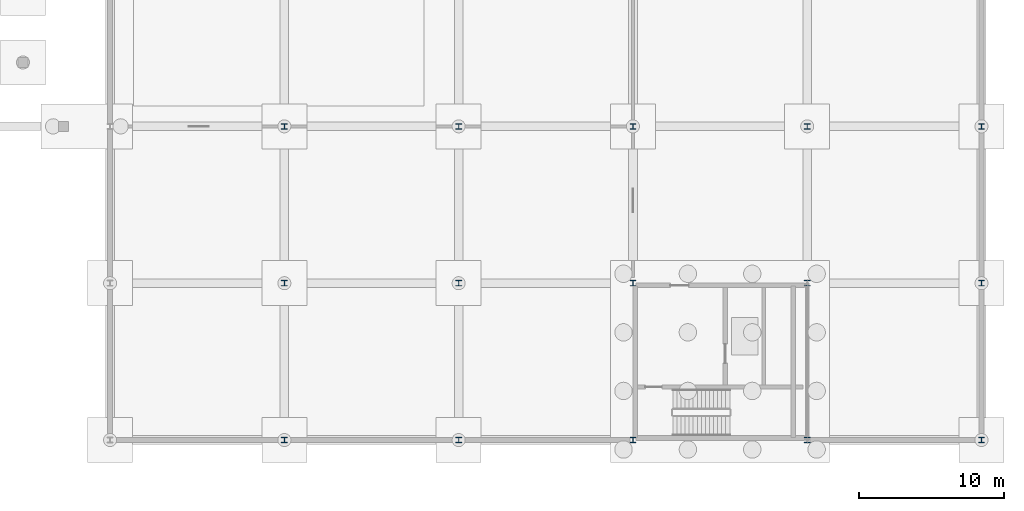
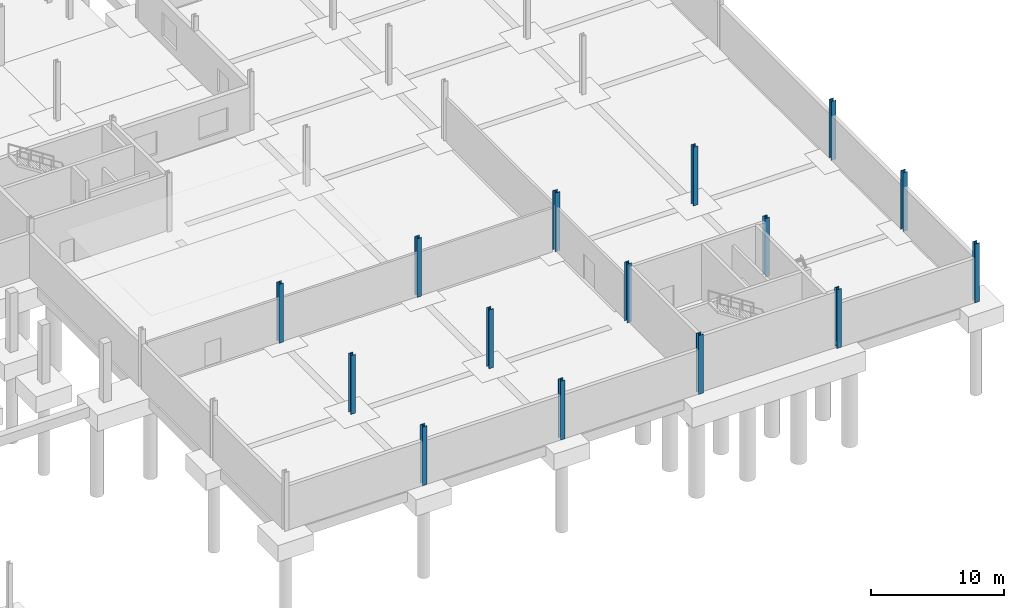
# One storey, part 16 of 36: 15 columns.
"""IFC4 building model written with IfcOpenShell, lengths in metres."""

from ifc_helpers import new_model, si_unit, direction, frame, origin, origin_2d, place, context, subcontext, project, spatial, i_section, extrude, material, material_profile, profile_set, type_object, element, save


model = new_model("IFC4")

# Units and contexts
model_context = context("Model", 3, precision=1e-05, world=origin(), true_north=direction((0.0, 1.0)))
body_context = subcontext(model_context, "Body", "Model", "MODEL_VIEW")
ifc_project = project(units=[si_unit("LENGTHUNIT", "METRE"), si_unit("AREAUNIT", "SQUARE_METRE"), si_unit("VOLUMEUNIT", "CUBIC_METRE"), si_unit("PLANEANGLEUNIT", "RADIAN"), si_unit("MASSUNIT", "GRAM", prefix="KILO"), si_unit("THERMODYNAMICTEMPERATUREUNIT", "KELVIN"), si_unit("POWERUNIT", "WATT")], contexts=[model_context])

# Site, building, storey
site_placement = place(None, origin())
site = spatial("IfcSite", under=ifc_project, at=site_placement, CompositionType="ELEMENT")
building_placement = place(site_placement, origin())
building = spatial("IfcBuilding", under=site, at=building_placement, Name="Tembeka Court Mobility Hub", CompositionType="ELEMENT")
storey_placement = place(building_placement, frame((0.0, 0.0, -5.39990234375)))
storey = spatial("IfcBuildingStorey", under=building, at=storey_placement, Name="B1", CompositionType="ELEMENT", Elevation=-5.39990234375)

# Columns
ifc_material = material(Name="Steel S355", Category="steel")
ifc_material_profile = material_profile(ifc_material, i_section(OverallWidth=0.39501953125, OverallDepth=0.381103515625, WebThickness=0.018310546875, FlangeThickness=0.0302734375, FilletRadius=0.01513671875, at=origin_2d()), Name="UKC 356x406x235")
ifc_profile_set = profile_set([ifc_material_profile], Name="Steel S355")
column_type = type_object("IfcColumnType", Name="COL-C02", PredefinedType="COLUMN", material=ifc_profile_set)
for number, where, z_axis, x_axis, name in (
    (1, (128.39990234375, 0.0, 0.0), (0.0, 0.0, 1.0), (1.0, 0.0, 0.0), "Column C02 (B1-173)"),
    (2, (128.39990234375, 10.800048828125, 0.0), (0.0, 0.0, 1.0), (1.0, 0.0, 0.0), "Column C02 (B1-174)"),
    (3, (128.39990234375, 21.60009765625, 0.0), (0.0, 0.0, 1.0), (1.0, 0.0, 0.0), "Column C02 (B1-175)"),
    (4, (140.39990234375, 0.0, 0.0), (0.0, 0.0, 1.0), (1.0, 0.0, 0.0), "Column C02 (B1-193)"),
    (5, (140.39990234375, 10.800048828125, 0.0), (0.0, 0.0, 1.0), (1.0, 0.0, 0.0), "Column C02 (B1-194)"),
    (6, (140.39990234375, 21.60009765625, 0.0), (0.0, 0.0, 1.0), (1.0, 0.0, 0.0), "Column C02 (B1-195)"),
    (7, (152.39990234375, 0.0, 0.0), (0.0, 0.0, 1.0), (1.0, 0.0, 0.0), "Column C02 (B1-206)"),
    (8, (152.39990234375, 10.800048828125, 0.0), (0.0, 0.0, 1.0), (1.0, 0.0, 0.0), "Column C02 (B1-207)"),
    (9, (152.39990234375, 21.60009765625, 0.0), (0.0, 0.0, 1.0), (1.0, 0.0, 0.0), "Column C02 (B1-208)"),
    (10, (164.39990234375, 0.0, 0.0), (0.0, 0.0, 1.0), (1.0, 0.0, 0.0), "Column C02 (B1-220)"),
    (11, (164.39990234375, 10.800048828125, 0.0), (0.0, 0.0, 1.0), (1.0, 0.0, 0.0), "Column C02 (B1-221)"),
    (12, (164.39990234375, 21.60009765625, 0.0), (0.0, 0.0, 1.0), (1.0, 0.0, 0.0), "Column C02 (B1-222)"),
    (13, (176.39990234375, 0.0, 0.0), (0.0, 0.0, 1.0), (1.0, 0.0, 0.0), "Column C02 (B1-239)"),
    (14, (176.39990234375, 10.800048828125, 0.0), (0.0, 0.0, 1.0), (1.0, 0.0, 0.0), "Column C02 (B1-240)"),
    (15, (176.39990234375, 21.60009765625, 0.0), (0.0, 0.0, 1.0), (1.0, 0.0, 0.0), "Column C02 (B1-241)"),
):
    element("IfcColumn", number, at=place(storey_placement, frame(where, z_axis=z_axis, x_axis=x_axis)), inside=storey, type_object=column_type, Name=name, PredefinedType="COLUMN", context=body_context, shape_type="SweptSolid", body=[
        extrude(i_section(OverallWidth=0.39501953125, OverallDepth=0.381103515625, WebThickness=0.018310546875, FlangeThickness=0.0302734375, FilletRadius=0.01513671875, at=origin_2d()), origin(), (0.0, 0.0, 1.0), 5.39990234375),
    ])

save(model, "model.ifc")
